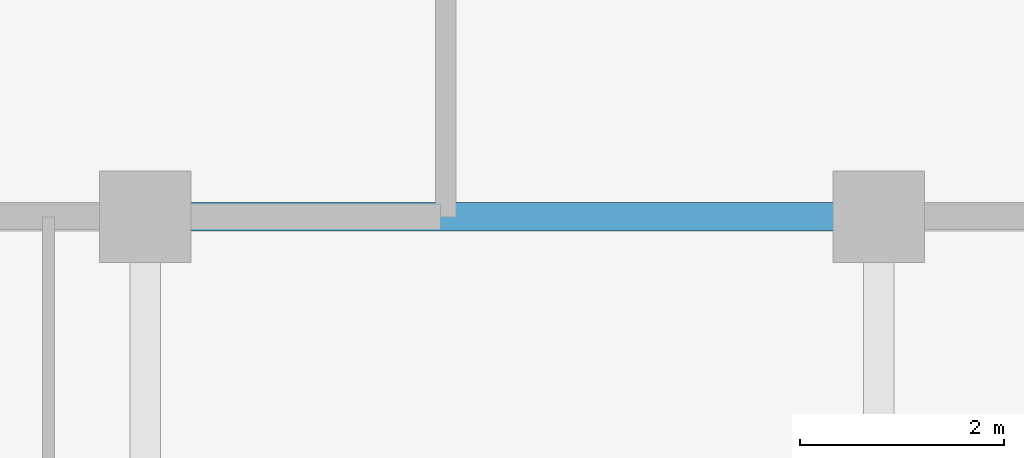
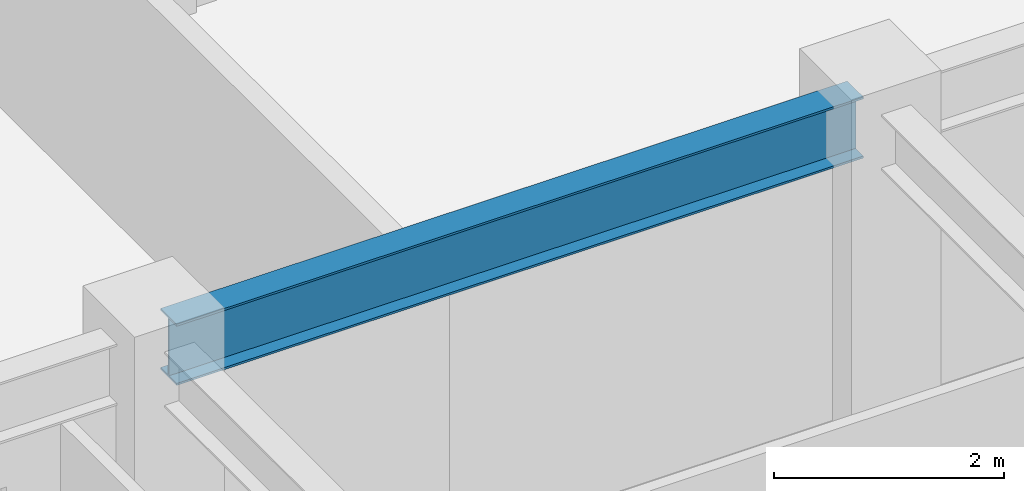
# One storey, part 6 of 21: 1 beam.
"""IFC4 building model written with IfcOpenShell, lengths in metres."""

from ifc_helpers import new_model, si_unit, direction, frame, origin, origin_2d, place, context, subcontext, project, spatial, i_section, extrude, source, transform, mapped, material, material_profile, profile_set, type_object, element, save


model = new_model("IFC4")

# Units and contexts
model_context = context("Model", 3, precision=1e-05, world=origin(), true_north=direction((0.0, 1.0)))
body_context = subcontext(model_context, "Body", "Model", "MODEL_VIEW")
ifc_project = project(units=[si_unit("LENGTHUNIT", "METRE"), si_unit("AREAUNIT", "SQUARE_METRE"), si_unit("VOLUMEUNIT", "CUBIC_METRE"), si_unit("PLANEANGLEUNIT", "RADIAN"), si_unit("MASSUNIT", "GRAM", prefix="KILO")], contexts=[model_context])

# Site, building, storey
site_placement = place(None, origin())
site = spatial("IfcSite", under=ifc_project, at=site_placement, CompositionType="ELEMENT")
building_placement = place(site_placement, origin())
building = spatial("IfcBuilding", under=site, at=building_placement, Name="Trelvane Seafront Commons", CompositionType="ELEMENT")
storey_placement = place(building_placement, frame((0.0, 0.0, 37.89990234375)))
storey = spatial("IfcBuildingStorey", under=building, at=storey_placement, Name="L09", CompositionType="ELEMENT", Elevation=37.89990234375)

# Beam
ifc_material = material(Name="Steel SM355 (S355)", Category="steel")
ifc_material_profile = material_profile(ifc_material, i_section(OverallWidth=0.280029296875, OverallDepth=0.64990234375, WebThickness=0.012939453125, FlangeThickness=0.02197265625, at=origin_2d()), Name="H-650x280x13x22")
ifc_profile_set = profile_set([ifc_material_profile], Name="Steel SM355 (S355)")
beam_type = type_object("IfcBeamType", Name="STR-BM-H650", PredefinedType="BEAM", material=ifc_profile_set)
shared_shape = source(origin(), body_context, "Body", "SweptSolid", [
    extrude(i_section(OverallWidth=0.280029296875, OverallDepth=0.64990234375, WebThickness=0.012939453125, FlangeThickness=0.02197265625, at=origin_2d()), origin(), (0.0, 0.0, 1.0), 6.89990234375),
])
beam_placement = place(storey_placement, frame((23.550048828125, 33.39990234375, 3.01513671875), z_axis=(1.0, 0.0, 0.0), x_axis=(0.0, 1.0, 0.0)))
element("IfcBeam", 1, at=beam_placement, inside=storey, type_object=beam_type, Name="L09 Primary Girder G-22", PredefinedType="BEAM", context=body_context, shape_type="MappedRepresentation", body=[
    mapped(shared_shape, transform((0.0, 0.0, 0.0), x_axis=(1.0, 0.0, 0.0), y_axis=(0.0, 1.0, 0.0), z_axis=(0.0, 0.0, 1.0), scale=1.0)),
])

save(model, "model.ifc")
